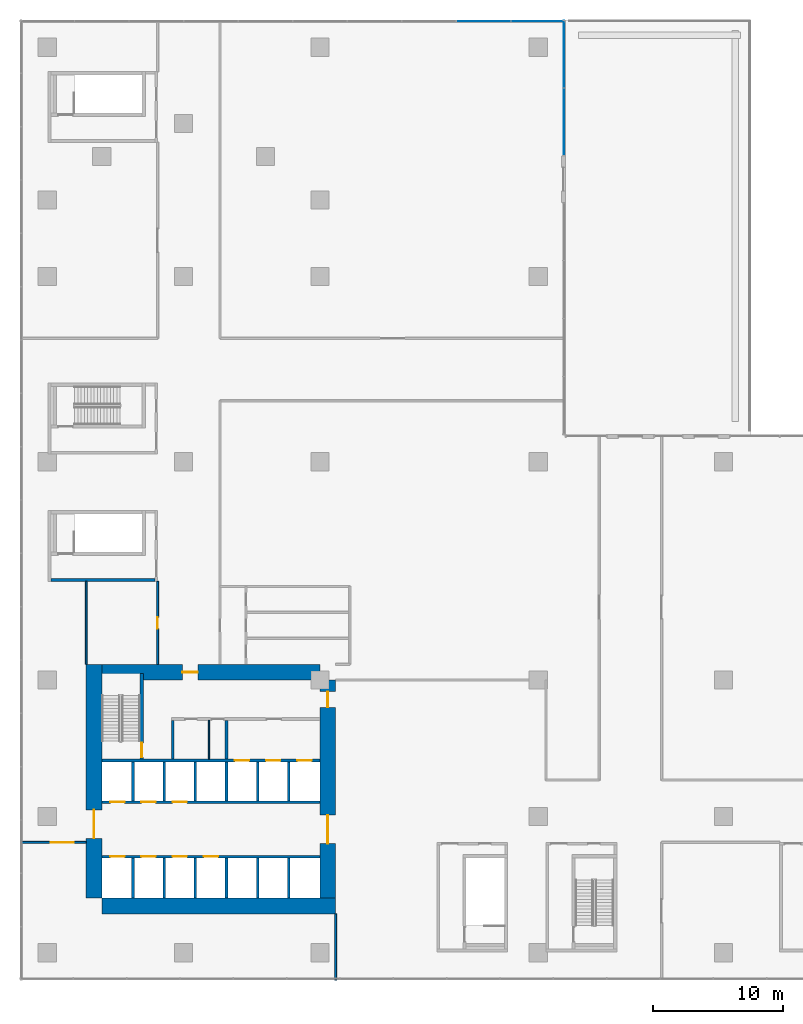
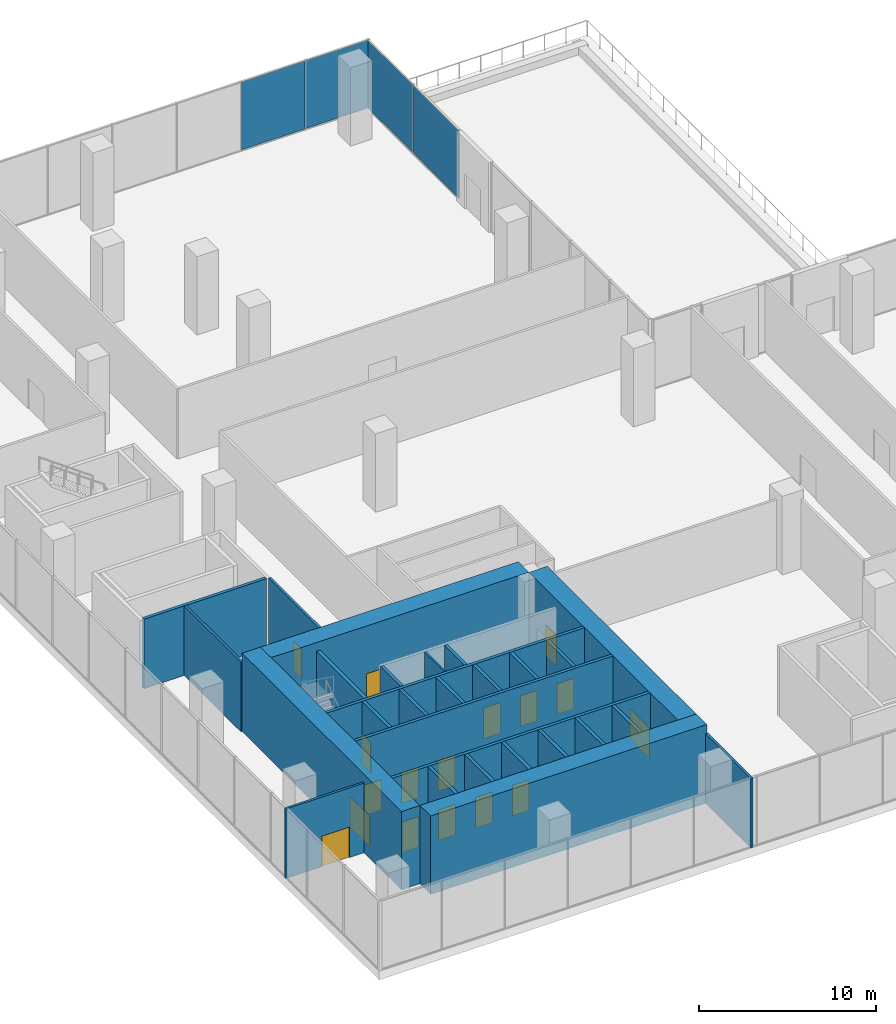
# One storey, part 13 of 21: 28 walls, 17 doors, 4 plates, 17 openings, 2 elements without a shape of their own.
"""IFC4 building model written with IfcOpenShell, lengths in metres."""

from ifc_helpers import new_model, si_unit, direction, frame, frame_2d, origin, origin_2d, place, context, subcontext, project, spatial, rectangle, extrude, source, transform, mapped, material, layer, layer_set, type_object, element, fill, aggregate, save


model = new_model("IFC4")

# Units and contexts
model_context = context("Model", 3, precision=1e-05, world=origin(), true_north=direction((0.0, 1.0)))
body_context = subcontext(model_context, "Body", "Model", "MODEL_VIEW")
ifc_project = project(units=[si_unit("LENGTHUNIT", "METRE"), si_unit("AREAUNIT", "SQUARE_METRE"), si_unit("VOLUMEUNIT", "CUBIC_METRE"), si_unit("PLANEANGLEUNIT", "RADIAN"), si_unit("MASSUNIT", "GRAM", prefix="KILO")], contexts=[model_context])

# Site, building, storey
site_placement = place(None, origin())
site = spatial("IfcSite", under=ifc_project, at=site_placement, CompositionType="ELEMENT")
building_placement = place(site_placement, origin())
building = spatial("IfcBuilding", under=site, at=building_placement, Name="Aurelian Terraces", CompositionType="ELEMENT")
storey_placement = place(building_placement, frame((0.0, 0.0, 29.1)))
storey = spatial("IfcBuildingStorey", under=building, at=storey_placement, Name="L05", CompositionType="ELEMENT", Elevation=29.1)

# Curtain wall, plate
ifc_material_1 = material(Name="Anodised aluminium and clear glazing", Category="aluminium")
ifc_layer_1 = layer(ifc_material_1, 0.2)
ifc_layer_set_1 = layer_set([ifc_layer_1], Name="Winter garden glazing curtain wall")
curtain_wall_type = type_object("IfcCurtainWallType", Name="Winter garden glazing curtain wall", PredefinedType="NOTDEFINED", material=ifc_layer_set_1)
curtain_wall_1_placement = place(storey_placement, origin())
curtain_wall_1 = element("IfcCurtainWall", 1, at=curtain_wall_1_placement, inside=storey, type_object=curtain_wall_type, Name="Winter garden glazing L05 F04.3", PredefinedType="NOTDEFINED")
ifc_material_2 = material(Name="Clear glazing", Category="glass")
ifc_layer_2 = layer(ifc_material_2, 0.028)
ifc_layer_set_2 = layer_set([ifc_layer_2], Name="Winter garden glazing glazing panel")
plate_type = type_object("IfcPlateType", Name="Winter garden glazing glazing panel", PredefinedType="CURTAIN_PANEL", material=ifc_layer_set_2)
plate_1_placement = place(storey_placement, frame((39.8, 63.99, 0.06), z_axis=(0.0, 0.0, 1.0), x_axis=(0.0, 1.0, 0.0)))
plate_1 = element("IfcPlate", 2, at=plate_1_placement, type_object=plate_type, Name="CW6 panel 1.1", PredefinedType="CURTAIN_PANEL", context=body_context, shape_type="SweptSolid", body=[
    extrude(rectangle(XDim=5.14, YDim=0.028, at=origin_2d()), origin(), (0.0, 0.0, 1.0), 4.68),
])

# Curtain wall, plates
curtain_wall_2_placement = place(storey_placement, origin())
curtain_wall_2 = element("IfcCurtainWall", 3, at=curtain_wall_2_placement, inside=storey, type_object=curtain_wall_type, Name="Winter garden glazing L05 F05.1", PredefinedType="NOTDEFINED")
shared_shape_1 = source(origin(), body_context, "Body", "SweptSolid", [
    extrude(rectangle(XDim=4.14, YDim=0.028, at=origin_2d()), origin(), (0.0, 0.0, 1.0), 4.68),
])
plate_2_placement = place(storey_placement, frame((33.6, 71.72, 0.06), z_axis=(0.0, 0.0, 1.0), x_axis=(-1.0, 0.0, 0.0)))
plate_2 = element("IfcPlate", 4, at=plate_2_placement, type_object=plate_type, Name="CW6 panel 2.1", PredefinedType="CURTAIN_PANEL", context=body_context, shape_type="MappedRepresentation", body=[
    mapped(shared_shape_1, transform((0.0, 0.0, 0.0), scale=1.0)),
])
shared_shape_2 = source(origin(), body_context, "Body", "SweptSolid", [
    extrude(rectangle(XDim=4.11, YDim=0.028, at=origin_2d()), origin(), (0.0, 0.0, 1.0), 4.68),
])
plate_3_placement = place(storey_placement, frame((37.785, 71.72, 0.06), z_axis=(0.0, 0.0, 1.0), x_axis=(-1.0, 0.0, 0.0)))
plate_3 = element("IfcPlate", 5, at=plate_3_placement, type_object=plate_type, Name="CW6 panel 1.1", PredefinedType="CURTAIN_PANEL", context=body_context, shape_type="MappedRepresentation", body=[
    mapped(shared_shape_2, transform((0.0, 0.0, 0.0), scale=1.0)),
])
aggregate(curtain_wall_2, [plate_3, plate_2])

# Plate
shared_shape_3 = source(origin(), body_context, "Body", "SweptSolid", [
    extrude(rectangle(XDim=5.14, YDim=0.028, at=origin_2d()), origin(), (0.0, 0.0, 1.0), 4.68),
])
plate_4_placement = place(storey_placement, frame((39.8, 69.19, 0.06), z_axis=(0.0, 0.0, 1.0), x_axis=(0.0, 1.0, 0.0)))
plate_4 = element("IfcPlate", 6, at=plate_4_placement, type_object=plate_type, Name="CW6 panel 2.1", PredefinedType="CURTAIN_PANEL", context=body_context, shape_type="MappedRepresentation", body=[
    mapped(shared_shape_3, transform((0.0, 0.0, 0.0), scale=1.0)),
])

aggregate(curtain_wall_1, [plate_1, plate_4])

# Wall, opening, door
ifc_material_3 = material(Name="Concrete fc' 83 MPa", Category="concrete")
ifc_layer_3 = layer(ifc_material_3, 1.2)
ifc_layer_set_3 = layer_set([ifc_layer_3], Name="CORE WALL 1200 FC83")
wall_type_1 = type_object("IfcWallType", Name="CORE WALL 1200 FC83", PredefinedType="SHEAR", material=ifc_layer_set_3)
shared_shape_4 = source(origin(), body_context, "Body", "SweptSolid", [
    extrude(rectangle(XDim=18.0, YDim=1.2, at=frame_2d((9.0, 0.0))), origin(), (0.0, 0.0, 1.0), 5.4),
])
wall_1_placement = place(storey_placement, frame((3.6, 4.2, 0.0), z_axis=(0.0, 0.0, 1.0), x_axis=(0.0, 1.0, 0.0)))
wall_1 = element("IfcWall", 7, at=wall_1_placement, inside=storey, type_object=wall_type_1, Name="Core wall W L05", PredefinedType="SHEAR", context=body_context, shape_type="MappedRepresentation", body=[
    mapped(shared_shape_4, transform((0.0, 0.0, 0.0), scale=1.0)),
])
shared_shape_5 = source(origin(), body_context, "Body", "SweptSolid", [
    extrude(rectangle(XDim=2.2, YDim=2.1, at=frame_2d((1.1, 1.05))), frame((0.0, 0.61, 0.0), z_axis=(0.0, -1.0, 0.0), x_axis=(1.0, 0.0, 0.0)), (0.0, 0.0, 1.0), 1.22),
])
opening_1_placement = place(wall_1_placement, frame((4.6, 0.0, 0.0)))
opening_1 = element("IfcOpeningElement", 8, at=opening_1_placement, cuts=wall_1, Name="Opening 60833", PredefinedType="OPENING", context=body_context, shape_type="MappedRepresentation", body=[
    mapped(shared_shape_5, transform((0.0, 0.0, 0.0), scale=1.0)),
])
ifc_material_4 = material(Name="Steel door leaf", Category="steel")
door_type_1 = type_object("IfcDoorType", Name="Core double door 2200x2100", OperationType="DOUBLE_DOOR_SINGLE_SWING", PredefinedType="DOOR", material=ifc_material_4)
shared_shape_6 = source(origin(), body_context, "Body", "SweptSolid", [
    extrude(rectangle(XDim=2.2, YDim=2.1, at=frame_2d((1.1, 1.05))), frame((0.0, 0.025, 0.0), z_axis=(0.0, -1.0, 0.0), x_axis=(1.0, 0.0, 0.0)), (0.0, 0.0, 1.0), 0.05),
])
door_1_placement = place(opening_1_placement, origin())
door_1 = element("IfcDoor", 9, at=door_1_placement, inside=storey, type_object=door_type_1, Name="Core door 60833", OperationType="DOUBLE_DOOR_SINGLE_SWING", OverallHeight=2.1, OverallWidth=2.2, PredefinedType="DOOR", context=body_context, shape_type="MappedRepresentation", body=[
    mapped(shared_shape_6, transform((0.0, 0.0, 0.0), scale=1.0)),
])
fill(opening_1, door_1)

# Wall
wall_2_placement = place(storey_placement, frame((4.2, 3.6, 0.0), z_axis=(0.0, 0.0, 1.0), x_axis=(1.0, 0.0, 0.0)))
element("IfcWall", 10, at=wall_2_placement, inside=storey, type_object=wall_type_1, Name="Core wall S L05", PredefinedType="SHEAR", context=body_context, shape_type="MappedRepresentation", body=[
    mapped(shared_shape_4, transform((0.0, 0.0, 0.0), scale=1.0)),
])

# Wall, openings, doors
shared_shape_7 = source(origin(), body_context, "Body", "SweptSolid", [
    extrude(rectangle(XDim=16.8, YDim=1.2, at=frame_2d((8.4, 0.0))), origin(), (0.0, 0.0, 1.0), 5.4),
])
wall_3_placement = place(storey_placement, frame((21.6, 4.2, 0.0), z_axis=(0.0, 0.0, 1.0), x_axis=(0.0, 1.0, 0.0)))
wall_3 = element("IfcWall", 11, at=wall_3_placement, inside=storey, type_object=wall_type_1, Name="Core wall E L05", PredefinedType="SHEAR", context=body_context, shape_type="MappedRepresentation", body=[
    mapped(shared_shape_7, transform((0.0, 0.0, 0.0), scale=1.0)),
])
opening_2_placement = place(wall_3_placement, frame((4.2, 0.0, 0.0)))
opening_2 = element("IfcOpeningElement", 12, at=opening_2_placement, cuts=wall_3, Name="Opening 60832", PredefinedType="OPENING", context=body_context, shape_type="MappedRepresentation", body=[
    mapped(shared_shape_5, transform((0.0, 0.0, 0.0), scale=1.0)),
])
shared_shape_8 = source(origin(), body_context, "Body", "SweptSolid", [
    extrude(rectangle(XDim=1.2, YDim=2.1, at=frame_2d((0.6, 1.05))), frame((0.0, 0.61, 0.0), z_axis=(0.0, -1.0, 0.0), x_axis=(1.0, 0.0, 0.0)), (0.0, 0.0, 1.0), 1.22),
])
opening_3_placement = place(wall_3_placement, frame((14.7, 0.0, 0.0)))
opening_3 = element("IfcOpeningElement", 13, at=opening_3_placement, cuts=wall_3, Name="Opening 60835", PredefinedType="OPENING", context=body_context, shape_type="MappedRepresentation", body=[
    mapped(shared_shape_8, transform((0.0, 0.0, 0.0), scale=1.0)),
])
door_type_2 = type_object("IfcDoorType", Name="Core fire door 1200x2100 right", OperationType="SINGLE_SWING_RIGHT", PredefinedType="DOOR", material=ifc_material_4)
shared_shape_9 = source(origin(), body_context, "Body", "SweptSolid", [
    extrude(rectangle(XDim=1.2, YDim=2.1, at=frame_2d((0.6, 1.05))), frame((0.0, 0.025, 0.0), z_axis=(0.0, -1.0, 0.0), x_axis=(1.0, 0.0, 0.0)), (0.0, 0.0, 1.0), 0.05),
])
door_2_placement = place(opening_3_placement, origin())
door_2 = element("IfcDoor", 14, at=door_2_placement, inside=storey, type_object=door_type_2, Name="Core door 60835", OperationType="SINGLE_SWING_RIGHT", OverallHeight=2.1, OverallWidth=1.2, PredefinedType="DOOR", context=body_context, shape_type="MappedRepresentation", body=[
    mapped(shared_shape_9, transform((0.0, 0.0, 0.0), scale=1.0)),
])
fill(opening_3, door_2)
door_3_placement = place(opening_2_placement, origin())
door_3 = element("IfcDoor", 15, at=door_3_placement, inside=storey, type_object=door_type_1, Name="Core door 60832", OperationType="DOUBLE_DOOR_SINGLE_SWING", OverallHeight=2.1, OverallWidth=2.2, PredefinedType="DOOR", context=body_context, shape_type="MappedRepresentation", body=[
    mapped(shared_shape_6, transform((0.0, 0.0, 0.0), scale=1.0)),
])
fill(opening_2, door_3)

# Wall, opening, door
wall_4_placement = place(storey_placement, frame((4.2, 21.6, 0.0), z_axis=(0.0, 0.0, 1.0), x_axis=(1.0, 0.0, 0.0)))
wall_4 = element("IfcWall", 16, at=wall_4_placement, inside=storey, type_object=wall_type_1, Name="Core wall N L05", PredefinedType="SHEAR", context=body_context, shape_type="MappedRepresentation", body=[
    mapped(shared_shape_7, transform((0.0, 0.0, 0.0), scale=1.0)),
])
opening_4_placement = place(wall_4_placement, frame((6.2, 0.0, 0.0)))
opening_4 = element("IfcOpeningElement", 17, at=opening_4_placement, cuts=wall_4, Name="Opening 60834", PredefinedType="OPENING", context=body_context, shape_type="MappedRepresentation", body=[
    mapped(shared_shape_8, transform((0.0, 0.0, 0.0), scale=1.0)),
])
door_type_3 = type_object("IfcDoorType", Name="Core fire door 1200x2100", OperationType="SINGLE_SWING_LEFT", PredefinedType="DOOR", material=ifc_material_4)
door_4_placement = place(opening_4_placement, origin())
door_4 = element("IfcDoor", 18, at=door_4_placement, inside=storey, type_object=door_type_3, Name="Core door 60834", OperationType="SINGLE_SWING_LEFT", OverallHeight=2.1, OverallWidth=1.2, PredefinedType="DOOR", context=body_context, shape_type="MappedRepresentation", body=[
    mapped(shared_shape_9, transform((0.0, 0.0, 0.0), scale=1.0)),
])
fill(opening_4, door_4)

# Walls
ifc_material_5 = material(Name="Concrete fc' 40 MPa", Category="concrete")
ifc_layer_4 = layer(ifc_material_5, 0.2)
ifc_layer_set_4 = layer_set([ifc_layer_4], Name="Lift shaft wall 200")
wall_type_2 = type_object("IfcWallType", Name="Lift shaft wall 200", PredefinedType="SOLIDWALL", material=ifc_layer_set_4)
shared_shape_10 = source(origin(), body_context, "Body", "SweptSolid", [
    extrude(rectangle(XDim=3.1, YDim=0.2, at=frame_2d((1.55, 0.0))), origin(), (0.0, 0.0, 1.0), 5.4),
])
for number, where, z_axis, x_axis, name in (
    (19, (6.6, 4.2, 0.0), (0.0, 0.0, 1.0), (0.0, 1.0, 0.0), "L05 core wall CD-A1"),
    (20, (9.0, 4.2, 0.0), (0.0, 0.0, 1.0), (0.0, 1.0, 0.0), "L05 core wall CD-A2"),
    (21, (11.4, 4.2, 0.0), (0.0, 0.0, 1.0), (0.0, 1.0, 0.0), "L05 core wall CD-A3"),
    (22, (13.8, 4.2, 0.0), (0.0, 0.0, 1.0), (0.0, 1.0, 0.0), "L05 core wall CD-A4"),
    (23, (16.2, 4.2, 0.0), (0.0, 0.0, 1.0), (0.0, 1.0, 0.0), "L05 core wall CD-A5"),
    (24, (18.6, 4.2, 0.0), (0.0, 0.0, 1.0), (0.0, 1.0, 0.0), "L05 core wall CD-A6"),
):
    element("IfcWall", number, at=place(storey_placement, frame(where, z_axis=z_axis, x_axis=x_axis)), inside=storey, type_object=wall_type_2, Name=name, PredefinedType="SOLIDWALL", context=body_context, shape_type="MappedRepresentation", body=[
        mapped(shared_shape_10, transform((0.0, 0.0, 0.0), scale=1.0)),
    ])
shared_shape_11 = source(origin(), body_context, "Body", "SweptSolid", [
    extrude(rectangle(XDim=3.0, YDim=0.2, at=frame_2d((1.5, 0.0))), origin(), (0.0, 0.0, 1.0), 5.4),
])
for number, where, z_axis, x_axis, name in (
    (25, (6.6, 11.7, 0.0), (0.0, 0.0, 1.0), (0.0, 1.0, 0.0), "L05 core wall CD-B1"),
    (26, (9.0, 11.7, 0.0), (0.0, 0.0, 1.0), (0.0, 1.0, 0.0), "L05 core wall CD-B2"),
    (27, (11.4, 11.7, 0.0), (0.0, 0.0, 1.0), (0.0, 1.0, 0.0), "L05 core wall CD-B3"),
    (28, (13.8, 11.7, 0.0), (0.0, 0.0, 1.0), (0.0, 1.0, 0.0), "L05 core wall CD-B4"),
    (29, (16.2, 11.7, 0.0), (0.0, 0.0, 1.0), (0.0, 1.0, 0.0), "L05 core wall CD-B5"),
    (30, (18.6, 11.7, 0.0), (0.0, 0.0, 1.0), (0.0, 1.0, 0.0), "L05 core wall CD-B6"),
):
    element("IfcWall", number, at=place(storey_placement, frame(where, z_axis=z_axis, x_axis=x_axis)), inside=storey, type_object=wall_type_2, Name=name, PredefinedType="SOLIDWALL", context=body_context, shape_type="MappedRepresentation", body=[
        mapped(shared_shape_11, transform((0.0, 0.0, 0.0), scale=1.0)),
    ])

# Wall, openings, doors
shared_shape_12 = source(origin(), body_context, "Body", "SweptSolid", [
    extrude(rectangle(XDim=16.8, YDim=0.2, at=frame_2d((8.4, 0.0))), origin(), (0.0, 0.0, 1.0), 5.4),
])
wall_5_placement = place(storey_placement, frame((4.2, 7.4, 0.0), z_axis=(0.0, 0.0, 1.0), x_axis=(1.0, 0.0, 0.0)))
wall_5 = element("IfcWall", 31, at=wall_5_placement, inside=storey, type_object=wall_type_2, Name="L05 core wall CF-AF1", PredefinedType="SOLIDWALL", context=body_context, shape_type="MappedRepresentation", body=[
    mapped(shared_shape_12, transform((0.0, 0.0, 0.0), scale=1.0)),
])
shared_shape_13 = source(origin(), body_context, "Body", "SweptSolid", [
    extrude(rectangle(XDim=1.1, YDim=2.1, at=frame_2d((0.55, 1.05))), frame((0.0, 0.11, 0.0), z_axis=(0.0, -1.0, 0.0), x_axis=(1.0, 0.0, 0.0)), (0.0, 0.0, 1.0), 0.22),
])
opening_5_placement = place(wall_5_placement, frame((0.65, 0.0, 0.0)))
opening_5 = element("IfcOpeningElement", 32, at=opening_5_placement, cuts=wall_5, Name="Opening 60800", PredefinedType="OPENING", context=body_context, shape_type="MappedRepresentation", body=[
    mapped(shared_shape_13, transform((0.0, 0.0, 0.0), scale=1.0)),
])
opening_6_placement = place(wall_5_placement, frame((3.05, 0.0, 0.0)))
opening_6 = element("IfcOpeningElement", 33, at=opening_6_placement, cuts=wall_5, Name="Opening 60801", PredefinedType="OPENING", context=body_context, shape_type="MappedRepresentation", body=[
    mapped(shared_shape_13, transform((0.0, 0.0, 0.0), scale=1.0)),
])
opening_7_placement = place(wall_5_placement, frame((5.45, 0.0, 0.0)))
opening_7 = element("IfcOpeningElement", 34, at=opening_7_placement, cuts=wall_5, Name="Opening 60802", PredefinedType="OPENING", context=body_context, shape_type="MappedRepresentation", body=[
    mapped(shared_shape_13, transform((0.0, 0.0, 0.0), scale=1.0)),
])
opening_8_placement = place(wall_5_placement, frame((7.85, 0.0, 0.0)))
opening_8 = element("IfcOpeningElement", 35, at=opening_8_placement, cuts=wall_5, Name="Opening 60803", PredefinedType="OPENING", context=body_context, shape_type="MappedRepresentation", body=[
    mapped(shared_shape_13, transform((0.0, 0.0, 0.0), scale=1.0)),
])
ifc_material_6 = material(Name="Stainless steel", Category="steel")
door_type_4 = type_object("IfcDoorType", Name="Lift landing door 1100x2100", OperationType="SLIDING_TO_LEFT", PredefinedType="DOOR", material=ifc_material_6)
shared_shape_14 = source(origin(), body_context, "Body", "SweptSolid", [
    extrude(rectangle(XDim=1.1, YDim=2.1, at=frame_2d((0.55, 1.05))), frame((0.0, 0.025, 0.0), z_axis=(0.0, -1.0, 0.0), x_axis=(1.0, 0.0, 0.0)), (0.0, 0.0, 1.0), 0.05),
])
door_5_placement = place(opening_5_placement, origin())
door_5 = element("IfcDoor", 36, at=door_5_placement, inside=storey, type_object=door_type_4, Name="Lift landing door LL1 L05", OperationType="SLIDING_TO_LEFT", OverallHeight=2.1, OverallWidth=1.1, PredefinedType="DOOR", context=body_context, shape_type="MappedRepresentation", body=[
    mapped(shared_shape_14, transform((0.0, 0.0, 0.0), scale=1.0)),
])
fill(opening_5, door_5)
door_6_placement = place(opening_6_placement, origin())
door_6 = element("IfcDoor", 37, at=door_6_placement, inside=storey, type_object=door_type_4, Name="Lift landing door LL2 L05", OperationType="SLIDING_TO_LEFT", OverallHeight=2.1, OverallWidth=1.1, PredefinedType="DOOR", context=body_context, shape_type="MappedRepresentation", body=[
    mapped(shared_shape_14, transform((0.0, 0.0, 0.0), scale=1.0)),
])
fill(opening_6, door_6)
door_7_placement = place(opening_7_placement, origin())
door_7 = element("IfcDoor", 38, at=door_7_placement, inside=storey, type_object=door_type_4, Name="Lift landing door LL3 L05", OperationType="SLIDING_TO_LEFT", OverallHeight=2.1, OverallWidth=1.1, PredefinedType="DOOR", context=body_context, shape_type="MappedRepresentation", body=[
    mapped(shared_shape_14, transform((0.0, 0.0, 0.0), scale=1.0)),
])
fill(opening_7, door_7)
door_8_placement = place(opening_8_placement, origin())
door_8 = element("IfcDoor", 39, at=door_8_placement, inside=storey, type_object=door_type_4, Name="Lift landing door LL4 L05", OperationType="SLIDING_TO_LEFT", OverallHeight=2.1, OverallWidth=1.1, PredefinedType="DOOR", context=body_context, shape_type="MappedRepresentation", body=[
    mapped(shared_shape_14, transform((0.0, 0.0, 0.0), scale=1.0)),
])
fill(opening_8, door_8)

wall_6_placement = place(storey_placement, frame((4.2, 11.6, 0.0), z_axis=(0.0, 0.0, 1.0), x_axis=(1.0, 0.0, 0.0)))
wall_6 = element("IfcWall", 40, at=wall_6_placement, inside=storey, type_object=wall_type_2, Name="L05 core wall CF-BF1", PredefinedType="SOLIDWALL", context=body_context, shape_type="MappedRepresentation", body=[
    mapped(shared_shape_12, transform((0.0, 0.0, 0.0), scale=1.0)),
])
opening_9_placement = place(wall_6_placement, frame((0.65, 0.0, 0.0)))
opening_9 = element("IfcOpeningElement", 41, at=opening_9_placement, cuts=wall_6, Name="Opening 60804", PredefinedType="OPENING", context=body_context, shape_type="MappedRepresentation", body=[
    mapped(shared_shape_13, transform((0.0, 0.0, 0.0), scale=1.0)),
])
opening_10_placement = place(wall_6_placement, frame((3.05, 0.0, 0.0)))
opening_10 = element("IfcOpeningElement", 42, at=opening_10_placement, cuts=wall_6, Name="Opening 60805", PredefinedType="OPENING", context=body_context, shape_type="MappedRepresentation", body=[
    mapped(shared_shape_13, transform((0.0, 0.0, 0.0), scale=1.0)),
])
opening_11_placement = place(wall_6_placement, frame((5.45, 0.0, 0.0)))
opening_11 = element("IfcOpeningElement", 43, at=opening_11_placement, cuts=wall_6, Name="Opening 60806", PredefinedType="OPENING", context=body_context, shape_type="MappedRepresentation", body=[
    mapped(shared_shape_13, transform((0.0, 0.0, 0.0), scale=1.0)),
])
door_9_placement = place(opening_9_placement, origin())
door_9 = element("IfcDoor", 44, at=door_9_placement, inside=storey, type_object=door_type_4, Name="Lift landing door LL5 L05", OperationType="SLIDING_TO_LEFT", OverallHeight=2.1, OverallWidth=1.1, PredefinedType="DOOR", context=body_context, shape_type="MappedRepresentation", body=[
    mapped(shared_shape_14, transform((0.0, 0.0, 0.0), scale=1.0)),
])
fill(opening_9, door_9)
door_10_placement = place(opening_10_placement, origin())
door_10 = element("IfcDoor", 45, at=door_10_placement, inside=storey, type_object=door_type_4, Name="Lift landing door LL6 L05", OperationType="SLIDING_TO_LEFT", OverallHeight=2.1, OverallWidth=1.1, PredefinedType="DOOR", context=body_context, shape_type="MappedRepresentation", body=[
    mapped(shared_shape_14, transform((0.0, 0.0, 0.0), scale=1.0)),
])
fill(opening_10, door_10)
door_11_placement = place(opening_11_placement, origin())
door_11 = element("IfcDoor", 46, at=door_11_placement, inside=storey, type_object=door_type_4, Name="Lift landing door LL7 L05", OperationType="SLIDING_TO_LEFT", OverallHeight=2.1, OverallWidth=1.1, PredefinedType="DOOR", context=body_context, shape_type="MappedRepresentation", body=[
    mapped(shared_shape_14, transform((0.0, 0.0, 0.0), scale=1.0)),
])
fill(opening_11, door_11)

wall_7_placement = place(storey_placement, frame((4.2, 14.8, 0.0), z_axis=(0.0, 0.0, 1.0), x_axis=(1.0, 0.0, 0.0)))
wall_7 = element("IfcWall", 47, at=wall_7_placement, inside=storey, type_object=wall_type_2, Name="L05 core wall CF-BB1", PredefinedType="SOLIDWALL", context=body_context, shape_type="MappedRepresentation", body=[
    mapped(shared_shape_12, transform((0.0, 0.0, 0.0), scale=1.0)),
])
opening_12_placement = place(wall_7_placement, frame((10.25, 0.0, 0.0)))
opening_12 = element("IfcOpeningElement", 48, at=opening_12_placement, cuts=wall_7, Name="Opening 60807", PredefinedType="OPENING", context=body_context, shape_type="MappedRepresentation", body=[
    mapped(shared_shape_13, transform((0.0, 0.0, 0.0), scale=1.0)),
])
opening_13_placement = place(wall_7_placement, frame((12.65, 0.0, 0.0)))
opening_13 = element("IfcOpeningElement", 49, at=opening_13_placement, cuts=wall_7, Name="Opening 60808", PredefinedType="OPENING", context=body_context, shape_type="MappedRepresentation", body=[
    mapped(shared_shape_13, transform((0.0, 0.0, 0.0), scale=1.0)),
])
opening_14_placement = place(wall_7_placement, frame((15.05, 0.0, 0.0)))
opening_14 = element("IfcOpeningElement", 50, at=opening_14_placement, cuts=wall_7, Name="Opening 60809", PredefinedType="OPENING", context=body_context, shape_type="MappedRepresentation", body=[
    mapped(shared_shape_13, transform((0.0, 0.0, 0.0), scale=1.0)),
])
door_12_placement = place(opening_12_placement, origin())
door_12 = element("IfcDoor", 51, at=door_12_placement, inside=storey, type_object=door_type_4, Name="Lift landing door F1 L05", OperationType="SLIDING_TO_LEFT", OverallHeight=2.1, OverallWidth=1.1, PredefinedType="DOOR", context=body_context, shape_type="MappedRepresentation", body=[
    mapped(shared_shape_14, transform((0.0, 0.0, 0.0), scale=1.0)),
])
fill(opening_12, door_12)
door_13_placement = place(opening_13_placement, origin())
door_13 = element("IfcDoor", 52, at=door_13_placement, inside=storey, type_object=door_type_4, Name="Lift landing door F2 L05", OperationType="SLIDING_TO_LEFT", OverallHeight=2.1, OverallWidth=1.1, PredefinedType="DOOR", context=body_context, shape_type="MappedRepresentation", body=[
    mapped(shared_shape_14, transform((0.0, 0.0, 0.0), scale=1.0)),
])
fill(opening_13, door_13)
door_14_placement = place(opening_14_placement, origin())
door_14 = element("IfcDoor", 53, at=door_14_placement, inside=storey, type_object=door_type_4, Name="Lift landing door F3 L05", OperationType="SLIDING_TO_LEFT", OverallHeight=2.1, OverallWidth=1.1, PredefinedType="DOOR", context=body_context, shape_type="MappedRepresentation", body=[
    mapped(shared_shape_14, transform((0.0, 0.0, 0.0), scale=1.0)),
])
fill(opening_14, door_14)

# Walls
ifc_material_7 = material(Name="Gypsum board on steel studs", Category="steel")
ifc_layer_5 = layer(ifc_material_7, 0.2)
ifc_layer_set_5 = layer_set([ifc_layer_5], Name="Core partition 200")
wall_type_3 = type_object("IfcWallType", Name="Core partition 200", PredefinedType="PARTITIONING", material=ifc_layer_set_5)
shared_shape_15 = source(origin(), body_context, "Body", "SweptSolid", [
    extrude(rectangle(XDim=3.0, YDim=0.2, at=frame_2d((1.5, 0.0))), origin(), (0.0, 0.0, 1.0), 4.8),
])
for number, where, z_axis, x_axis, name in (
    (54, (9.65, 14.9, 0.0), (0.0, 0.0, 1.0), (0.0, 1.0, 0.0), "L05 core wall CP-VEST"),
    (55, (13.8, 14.9, 0.0), (0.0, 0.0, 1.0), (0.0, 1.0, 0.0), "L05 core wall CP-FFL"),
):
    element("IfcWall", number, at=place(storey_placement, frame(where, z_axis=z_axis, x_axis=x_axis)), inside=storey, type_object=wall_type_3, Name=name, PredefinedType="PARTITIONING", context=body_context, shape_type="MappedRepresentation", body=[
        mapped(shared_shape_15, transform((0.0, 0.0, 0.0), scale=1.0)),
    ])
ifc_layer_6 = layer(ifc_material_7, 0.1)
ifc_layer_set_6 = layer_set([ifc_layer_6], Name="Core partition 100")
wall_type_4 = type_object("IfcWallType", Name="Core partition 100", PredefinedType="PARTITIONING", material=ifc_layer_set_6)
shared_shape_16 = source(origin(), body_context, "Body", "SweptSolid", [
    extrude(rectangle(XDim=3.0, YDim=0.1, at=frame_2d((1.5, 0.0))), origin(), (0.0, 0.0, 1.0), 4.8),
])
wall_8_placement = place(storey_placement, frame((12.45, 14.9, 0.0), z_axis=(0.0, 0.0, 1.0), x_axis=(0.0, 1.0, 0.0)))
element("IfcWall", 56, at=wall_8_placement, inside=storey, type_object=wall_type_4, Name="L05 core wall CP-SV1", PredefinedType="PARTITIONING", context=body_context, shape_type="MappedRepresentation", body=[
    mapped(shared_shape_16, transform((0.0, 0.0, 0.0), scale=1.0)),
])
shared_shape_17 = source(origin(), body_context, "Body", "SweptSolid", [
    extrude(rectangle(XDim=8.0, YDim=0.2, at=frame_2d((4.0, 0.0))), origin(), (0.0, 0.0, 1.0), 4.8),
])
wall_9_placement = place(storey_placement, frame((0.3, 28.7, 0.0), z_axis=(0.0, 0.0, 1.0), x_axis=(1.0, 0.0, 0.0)))
element("IfcWall", 57, at=wall_9_placement, inside=storey, type_object=wall_type_3, Name="L05 core wall ST-S4-VW", PredefinedType="PARTITIONING", context=body_context, shape_type="MappedRepresentation", body=[
    mapped(shared_shape_17, transform((0.0, 0.0, 0.0), scale=1.0)),
])

# Wall, opening, door
ifc_layer_7 = layer(ifc_material_5, 0.25)
ifc_layer_set_7 = layer_set([ifc_layer_7], Name="Stair enclosure wall 250")
wall_type_5 = type_object("IfcWallType", Name="Stair enclosure wall 250", PredefinedType="SOLIDWALL", material=ifc_layer_set_7)
shared_shape_18 = source(origin(), body_context, "Body", "SweptSolid", [
    extrude(rectangle(XDim=6.6, YDim=0.25, at=frame_2d((3.3, 0.0))), origin(), (0.0, 0.0, 1.0), 4.8),
])
wall_10_placement = place(storey_placement, frame((7.275, 14.9, 0.0), z_axis=(0.0, 0.0, 1.0), x_axis=(0.0, 1.0, 0.0)))
wall_10 = element("IfcWall", 58, at=wall_10_placement, inside=storey, type_object=wall_type_5, Name="L05 core wall ST-S1-E", PredefinedType="SOLIDWALL", context=body_context, shape_type="MappedRepresentation", body=[
    mapped(shared_shape_18, transform((0.0, 0.0, 0.0), scale=1.0)),
])
shared_shape_19 = source(origin(), body_context, "Body", "SweptSolid", [
    extrude(rectangle(XDim=1.1, YDim=2.1, at=frame_2d((0.55, 1.05))), frame((0.0, 0.135, 0.0), z_axis=(0.0, -1.0, 0.0), x_axis=(1.0, 0.0, 0.0)), (0.0, 0.0, 1.0), 0.27),
])
opening_15_placement = place(wall_10_placement, frame((0.15, 0.0, 0.0)))
opening_15 = element("IfcOpeningElement", 59, at=opening_15_placement, cuts=wall_10, Name="Opening 60810", PredefinedType="OPENING", context=body_context, shape_type="MappedRepresentation", body=[
    mapped(shared_shape_19, transform((0.0, 0.0, 0.0), scale=1.0)),
])
door_type_5 = type_object("IfcDoorType", Name="Core fire door 1100x2100", OperationType="SINGLE_SWING_LEFT", PredefinedType="DOOR", material=ifc_material_4)
door_15_placement = place(opening_15_placement, origin())
door_15 = element("IfcDoor", 60, at=door_15_placement, inside=storey, type_object=door_type_5, Name="Stair door 60810", OperationType="SINGLE_SWING_LEFT", OverallHeight=2.1, OverallWidth=1.1, PredefinedType="DOOR", context=body_context, shape_type="MappedRepresentation", body=[
    mapped(shared_shape_14, transform((0.0, 0.0, 0.0), scale=1.0)),
])
fill(opening_15, door_15)

# Wall
ifc_layer_8 = layer(ifc_material_7, 0.15)
ifc_layer_set_8 = layer_set([ifc_layer_8], Name="Special partition 150")
wall_type_6 = type_object("IfcWallType", Name="Special partition 150", PredefinedType="PARTITIONING", material=ifc_layer_set_8)
shared_shape_20 = source(origin(), body_context, "Body", "SweptSolid", [
    extrude(rectangle(XDim=6.4, YDim=0.15, at=frame_2d((3.2, 0.0))), origin(), (0.0, 0.0, 1.0), 4.8),
])
wall_11_placement = place(storey_placement, frame((3.0, 22.2, 0.0), z_axis=(0.0, 0.0, 1.0), x_axis=(0.0, 1.0, 0.0)))
element("IfcWall", 61, at=wall_11_placement, inside=storey, type_object=wall_type_6, Name="L05 partition W14", PredefinedType="PARTITIONING", context=body_context, shape_type="MappedRepresentation", body=[
    mapped(shared_shape_20, transform((0.0, 0.0, 0.0), scale=1.0)),
])

# Wall, opening, door
wall_12_placement = place(storey_placement, frame((8.5, 22.2, 0.0), z_axis=(0.0, 0.0, 1.0), x_axis=(0.0, 1.0, 0.0)))
wall_12 = element("IfcWall", 62, at=wall_12_placement, inside=storey, type_object=wall_type_6, Name="L05 partition W15", PredefinedType="PARTITIONING", context=body_context, shape_type="MappedRepresentation", body=[
    mapped(shared_shape_20, transform((0.0, 0.0, 0.0), scale=1.0)),
])
shared_shape_21 = source(origin(), body_context, "Body", "SweptSolid", [
    extrude(rectangle(XDim=0.9, YDim=2.1, at=frame_2d((0.45, 1.05))), frame((0.0, 0.085, 0.0), z_axis=(0.0, -1.0, 0.0), x_axis=(1.0, 0.0, 0.0)), (0.0, 0.0, 1.0), 0.17),
])
opening_16_placement = place(wall_12_placement, frame((2.75, 0.0, 0.0)))
opening_16 = element("IfcOpeningElement", 63, at=opening_16_placement, cuts=wall_12, Name="Opening 70803", PredefinedType="OPENING", context=body_context, shape_type="MappedRepresentation", body=[
    mapped(shared_shape_21, transform((0.0, 0.0, 0.0), scale=1.0)),
])
ifc_material_8 = material(Name="Timber door leaf", Category="wood")
door_type_6 = type_object("IfcDoorType", Name="Special door 900x2100 right", OperationType="SINGLE_SWING_RIGHT", PredefinedType="DOOR", material=ifc_material_8)
shared_shape_22 = source(origin(), body_context, "Body", "SweptSolid", [
    extrude(rectangle(XDim=0.9, YDim=2.1, at=frame_2d((0.45, 1.05))), frame((0.0, 0.025, 0.0), z_axis=(0.0, -1.0, 0.0), x_axis=(1.0, 0.0, 0.0)), (0.0, 0.0, 1.0), 0.05),
])
door_16_placement = place(opening_16_placement, origin())
door_16 = element("IfcDoor", 64, at=door_16_placement, inside=storey, type_object=door_type_6, Name="Door 70803", OperationType="SINGLE_SWING_RIGHT", OverallHeight=2.1, OverallWidth=0.9, PredefinedType="DOOR", context=body_context, shape_type="MappedRepresentation", body=[
    mapped(shared_shape_22, transform((0.0, 0.0, 0.0), scale=1.0)),
])
fill(opening_16, door_16)

shared_shape_23 = source(origin(), body_context, "Body", "SweptSolid", [
    extrude(rectangle(XDim=5.1, YDim=0.15, at=frame_2d((2.55, 0.0))), origin(), (0.0, 0.0, 1.0), 4.8),
])
wall_13_placement = place(storey_placement, frame((-2.1, 8.5, 0.0), z_axis=(0.0, 0.0, 1.0), x_axis=(1.0, 0.0, 0.0)))
wall_13 = element("IfcWall", 65, at=wall_13_placement, inside=storey, type_object=wall_type_6, Name="L05 partition W01", PredefinedType="PARTITIONING", context=body_context, shape_type="MappedRepresentation", body=[
    mapped(shared_shape_23, transform((0.0, 0.0, 0.0), scale=1.0)),
])
shared_shape_24 = source(origin(), body_context, "Body", "SweptSolid", [
    extrude(rectangle(XDim=1.8, YDim=2.1, at=frame_2d((0.9, 1.05))), frame((0.0, 0.085, 0.0), z_axis=(0.0, -1.0, 0.0), x_axis=(1.0, 0.0, 0.0)), (0.0, 0.0, 1.0), 0.17),
])
opening_17_placement = place(wall_13_placement, frame((2.35, 0.0, 0.0)))
opening_17 = element("IfcOpeningElement", 66, at=opening_17_placement, cuts=wall_13, Name="Opening 70801", PredefinedType="OPENING", context=body_context, shape_type="MappedRepresentation", body=[
    mapped(shared_shape_24, transform((0.0, 0.0, 0.0), scale=1.0)),
])
door_type_7 = type_object("IfcDoorType", Name="Special double door 1800x2100", OperationType="DOUBLE_DOOR_SINGLE_SWING", PredefinedType="DOOR", material=ifc_material_8)
shared_shape_25 = source(origin(), body_context, "Body", "SweptSolid", [
    extrude(rectangle(XDim=1.8, YDim=2.1, at=frame_2d((0.9, 1.05))), frame((0.0, 0.025, 0.0), z_axis=(0.0, -1.0, 0.0), x_axis=(1.0, 0.0, 0.0)), (0.0, 0.0, 1.0), 0.05),
])
door_17_placement = place(opening_17_placement, origin())
door_17 = element("IfcDoor", 67, at=door_17_placement, inside=storey, type_object=door_type_7, Name="Door 70801", OperationType="DOUBLE_DOOR_SINGLE_SWING", OverallHeight=2.1, OverallWidth=1.8, PredefinedType="DOOR", context=body_context, shape_type="MappedRepresentation", body=[
    mapped(shared_shape_25, transform((0.0, 0.0, 0.0), scale=1.0)),
])
fill(opening_17, door_17)

# Wall
wall_14_placement = place(storey_placement, frame((22.2, -2.1, 0.0), z_axis=(0.0, 0.0, 1.0), x_axis=(0.0, 1.0, 0.0)))
element("IfcWall", 68, at=wall_14_placement, inside=storey, type_object=wall_type_6, Name="L05 partition W21", PredefinedType="PARTITIONING", context=body_context, shape_type="MappedRepresentation", body=[
    mapped(shared_shape_23, transform((0.0, 0.0, 0.0), scale=1.0)),
])

save(model, "model.ifc")
